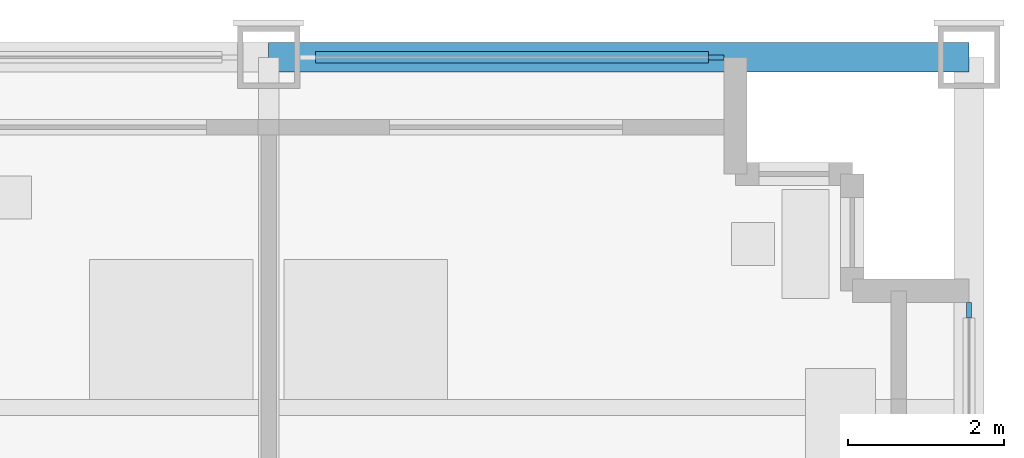
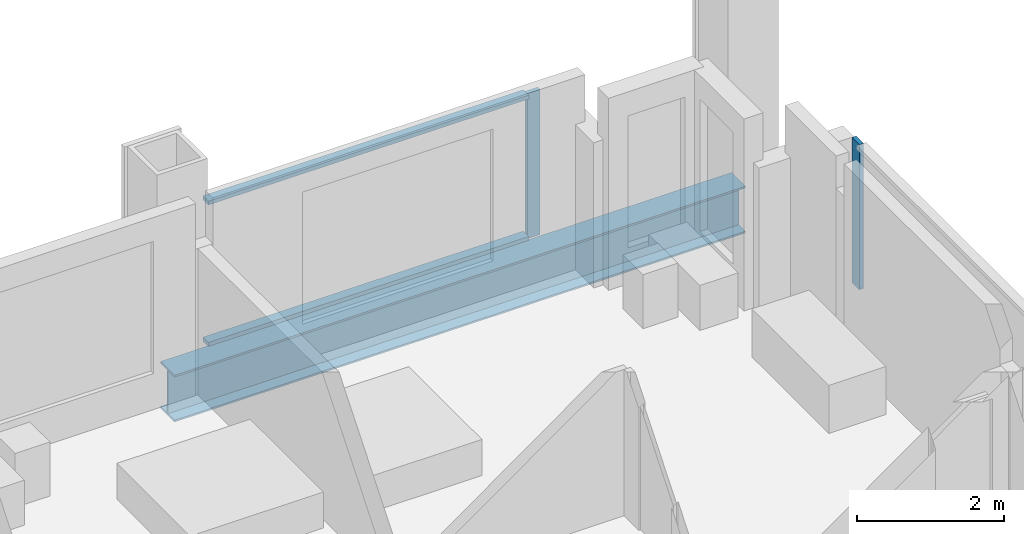
# One storey, part 7 of 16: 4 members, 1 beam, 2 elements without a shape of their own.
"""IFC4 building model written with IfcOpenShell, lengths in metres."""

import ifcopenshell
import ifcopenshell.guid

model = None  # the IFC model being written
_history = None  # IfcOwnerHistory: only IFC2X3 demands one
_inside = {}  # id of a spatial element -> (the spatial element, [elements in it])
_under = {}  # id of a project, library or spatial element -> (it, [spatial elements below it])
_declared = {}  # id of a project -> (the project, [libraries it declares])
_typed = {}  # id of a type object -> (the type object, [elements of that type])
_made_of = {}  # id of a material, layer set ... -> (it, [elements and type objects made of it])


def new_model(schema):
    """Start an empty IFC model of exactly this schema.

    Asked for "IFC4X3", IfcOpenShell would pick the latest addendum, in which some entities
    have other attributes; the version numbers below select the first issue.
    IFC2X3 requires an IfcOwnerHistory on every rooted entity: one is made here for all.
    """
    global model, _history
    if schema == "IFC4X3":
        model = ifcopenshell.file(schema_version=(4, 3, 0, 0))
    else:
        model = ifcopenshell.file(schema=schema)
    _inside.clear()
    _under.clear()
    _declared.clear()
    _typed.clear()
    _made_of.clear()
    _history = None
    if model.schema == "IFC2X3":
        org = make("IfcOrganization", Name="unknown")
        user = make(
            "IfcPersonAndOrganization",
            ThePerson=make("IfcPerson", FamilyName="unknown"),
            TheOrganization=org,
        )
        app = make(
            "IfcApplication",
            ApplicationDeveloper=org,
            Version="unknown",
            ApplicationFullName="unknown",
            ApplicationIdentifier="unknown",
        )
        _history = make(
            "IfcOwnerHistory",
            OwningUser=user,
            OwningApplication=app,
            ChangeAction="ADDED",
            CreationDate=0,
        )
    return model


def make(cls, **values):
    """One entity of the class cls with the attributes given. An attribute that is None is left unset."""
    return model.create_entity(
        cls, **{name: value for name, value in values.items() if value is not None}
    )


def rooted(cls, **values):
    """An entity with a GlobalId (a new one), such as an element, a storey or a relation."""
    return make(cls, GlobalId=ifcopenshell.guid.new(), OwnerHistory=_history, **values)


def si_unit(unit_type, name, prefix=None):
    """IfcSIUnit, for example si_unit("LENGTHUNIT", "METRE", prefix="MILLI")."""
    return make("IfcSIUnit", UnitType=unit_type, Prefix=prefix, Name=name)


def assignment(units):
    """IfcUnitAssignment: the units of a project."""
    return None if units is None else make("IfcUnitAssignment", Units=units)


def point(xyz):
    """IfcCartesianPoint."""
    return None if xyz is None else make("IfcCartesianPoint", Coordinates=xyz)


def direction(xyz):
    """IfcDirection."""
    return None if xyz is None else make("IfcDirection", DirectionRatios=xyz)


def frame(location, z_axis=None, x_axis=None):
    """IfcAxis2Placement3D, a coordinate frame: its origin and axes. An axis left out is left unset."""
    return make(
        "IfcAxis2Placement3D",
        Location=point(location),
        Axis=direction(z_axis),
        RefDirection=direction(x_axis),
    )


def frame_2d(location, x_axis=None):
    """IfcAxis2Placement2D, a coordinate frame in the plane: its origin and x axis."""
    return make(
        "IfcAxis2Placement2D", Location=point(location), RefDirection=direction(x_axis)
    )


def origin():
    """The frame at (0, 0, 0) with its axes left unset."""
    return frame((0.0, 0.0, 0.0))


def origin_2d():
    """The frame at (0, 0) in the plane with its x axis left unset."""
    return frame_2d((0.0, 0.0))


def place(relative_to, where):
    """IfcLocalPlacement: puts the frame where relative to a parent placement (None: the world)."""
    return make(
        "IfcLocalPlacement", PlacementRelTo=relative_to, RelativePlacement=where
    )


def context(
    kind, dimensions, precision=None, world=None, true_north=None, identifier=None
):
    """IfcGeometricRepresentationContext, for example the 3D "Model" context."""
    return make(
        "IfcGeometricRepresentationContext",
        ContextIdentifier=identifier,
        ContextType=kind,
        CoordinateSpaceDimension=dimensions,
        Precision=precision,
        WorldCoordinateSystem=world,
        TrueNorth=true_north,
    )


def subcontext(parent, identifier, kind, view, scale=None):
    """IfcGeometricRepresentationSubContext, for example "Body" below "Model"."""
    return make(
        "IfcGeometricRepresentationSubContext",
        ContextIdentifier=identifier,
        ContextType=kind,
        ParentContext=parent,
        TargetScale=scale,
        TargetView=view,
    )


def project(units=None, contexts=None):
    """IfcProject with its units and contexts."""
    return rooted(
        "IfcProject",
        Name="project",
        RepresentationContexts=contexts,
        UnitsInContext=assignment(units),
    )


def spatial(cls, under=None, at=None, **own):
    """A site, building, storey or space (cls), placed at a placement, below another one or the project."""
    s = rooted(cls, ObjectPlacement=at, **own)
    if under is not None:
        _under.setdefault(under.id(), (under, []))[1].append(s)
    return s


def profile(cls, at=None, kind="AREA", **sizes):
    """A parametric profile (cls). Its sizes go by their IFC names, for example OverallWidth=200.0."""
    return make(cls, ProfileType=kind, Position=at, **sizes)


def rectangle(**sizes):
    """IfcRectangleProfileDef."""
    return profile("IfcRectangleProfileDef", **sizes)


def i_section(**sizes):
    """IfcIShapeProfileDef."""
    return profile("IfcIShapeProfileDef", **sizes)


def extrude(swept, where, along, depth):
    """IfcExtrudedAreaSolid: the profile swept, set in the frame where, extruded along a direction by depth."""
    return make(
        "IfcExtrudedAreaSolid",
        SweptArea=swept,
        Position=where,
        ExtrudedDirection=direction(along),
        Depth=depth,
    )


def shape(context_of_items, identifier, shape_type, items):
    """IfcShapeRepresentation: the items that make up one representation, for example the "Body"."""
    return make(
        "IfcShapeRepresentation",
        ContextOfItems=context_of_items,
        RepresentationIdentifier=identifier,
        RepresentationType=shape_type,
        Items=items,
    )


def material(Name=None, Category=None):
    """IfcMaterial."""
    return make("IfcMaterial", Name=Name, Category=Category)


def material_profile(
    of_material, cross_section, Name=None, Category=None, Priority=None
):
    """IfcMaterialProfile: a cross section and its material."""
    return make(
        "IfcMaterialProfile",
        Name=Name,
        Material=of_material,
        Profile=cross_section,
        Priority=Priority,
        Category=Category,
    )


def profile_set(profiles, Name=None, composite=None):
    """IfcMaterialProfileSet."""
    return make(
        "IfcMaterialProfileSet",
        Name=Name,
        MaterialProfiles=profiles,
        CompositeProfile=composite,
    )


def made_of(thing, what):
    """Note that an element or type object is made of a material, layer set ...; save() writes the relation."""
    if what is not None:
        _made_of.setdefault(what.id(), (what, []))[1].append(thing)
    return thing


def type_object(cls, material=None, **own):
    """A type object (cls), such as IfcWallType, which elements share."""
    return made_of(rooted(cls, **own), material)


def element(
    cls,
    number,
    at=None,
    inside=None,
    cuts=None,
    type_object=None,
    material=None,
    context=None,
    identifier="Body",
    shape_type=None,
    held_by="IfcProductDefinitionShape",
    body=None,
    shapes=None,
    **own,
):
    """One element of the class cls, such as IfcWall. Its Tag is "e" and its number.

    at: its placement. inside: the storey or other place that contains it. cuts: it is an
    opening in that element (IfcRelVoidsElement). A single representation is given by context,
    identifier, shape_type and body (its items); several are given by shapes. held_by: the class
    of the entity that holds the representations. save() writes the other relations.
    """
    e = rooted(cls, Tag="e%d" % number, ObjectPlacement=at, **own)
    if body is not None:
        shapes = [shape(context, identifier, shape_type, body)]
    if shapes is not None:
        e.Representation = make(held_by, Representations=shapes)
    if inside is not None:
        _inside.setdefault(inside.id(), (inside, []))[1].append(e)
    if cuts is not None:
        rooted(
            "IfcRelVoidsElement", RelatingBuildingElement=cuts, RelatedOpeningElement=e
        )
    if type_object is not None:
        _typed.setdefault(type_object.id(), (type_object, []))[1].append(e)
    return made_of(e, material)


def aggregate(whole, parts):
    """IfcRelAggregates: a whole, such as a stair, and the parts it consists of."""
    return rooted("IfcRelAggregates", RelatingObject=whole, RelatedObjects=parts)


def save(model, path):
    """Write the relations noted so far, then the file.

    IfcRelAggregates (storeys below a building ...), IfcRelContainedInSpatialStructure (elements
    in a storey), IfcRelDefinesByType, IfcRelAssociatesMaterial and IfcRelDeclares: one each for
    every whole, place, type object, material and project.
    """
    for whole, parts in _under.values():
        aggregate(whole, parts)
    for where, things in _inside.values():
        rooted(
            "IfcRelContainedInSpatialStructure",
            RelatedElements=things,
            RelatingStructure=where,
        )
    for kind, things in _typed.values():
        rooted("IfcRelDefinesByType", RelatedObjects=things, RelatingType=kind)
    for what, things in _made_of.values():
        rooted("IfcRelAssociatesMaterial", RelatedObjects=things, RelatingMaterial=what)
    for by, libraries in _declared.values():
        rooted("IfcRelDeclares", RelatingContext=by, RelatedDefinitions=libraries)
    model.write(path)


model = new_model("IFC4")

# Units and contexts
model_context = context("Model", 3, precision=1e-05, world=origin(), true_north=direction((0.0, 1.0)))
body_context = subcontext(model_context, "Body", "Model", "MODEL_VIEW")
ifc_project = project(units=[si_unit("LENGTHUNIT", "METRE"), si_unit("AREAUNIT", "SQUARE_METRE"), si_unit("VOLUMEUNIT", "CUBIC_METRE"), si_unit("PLANEANGLEUNIT", "RADIAN"), si_unit("MASSUNIT", "GRAM", prefix="KILO")], contexts=[model_context])

# Site, building, storey
site_placement = place(None, origin())
site = spatial("IfcSite", under=ifc_project, at=site_placement, CompositionType="ELEMENT")
building_placement = place(site_placement, origin())
building = spatial("IfcBuilding", under=site, at=building_placement, Name="Loomwork Tower", CompositionType="ELEMENT")
storey_placement = place(building_placement, frame((0.0, 0.0, 111.199951171875)))
storey = spatial("IfcBuildingStorey", under=building, at=storey_placement, Name="L29", CompositionType="ELEMENT", Elevation=111.199951171875)

# Curtain wall, member
ifc_material_1 = material(Name="Aluminium curtain wall frame", Category="aluminium")
curtain_wall_type = type_object("IfcCurtainWallType", Name="Outer skin glazing hotel", PredefinedType="NOTDEFINED", material=ifc_material_1)
curtain_wall_1_placement = place(storey_placement, origin())
curtain_wall_1 = element("IfcCurtainWall", 1, at=curtain_wall_1_placement, inside=storey, type_object=curtain_wall_type, Name="Outer skin glazing hotel cw/N-36", PredefinedType="NOTDEFINED")
ifc_material_2 = material(Name="Aluminium curtain wall frame", Category="aluminium")
ifc_material_profile_1 = material_profile(ifc_material_2, rectangle(XDim=0.06494140625, YDim=0.199951171875, at=origin_2d()), Name="AL 65x200")
ifc_profile_set_1 = profile_set([ifc_material_profile_1], Name="Aluminium curtain wall frame")
member_type_1 = type_object("IfcMemberType", Name="Outer skin glazing hotel mullion", PredefinedType="MULLION", material=ifc_profile_set_1)
member_1_placement = place(storey_placement, frame((41.75, 36.0, 0.0), z_axis=(0.0, 0.0, 1.0), x_axis=(0.0, -1.0, 0.0)))
member_1 = element("IfcMember", 2, at=member_1_placement, type_object=member_type_1, Name="CW1 mullion 1", PredefinedType="MULLION", context=body_context, shape_type="SweptSolid", body=[
    extrude(rectangle(XDim=0.06494140625, YDim=0.199951171875, at=origin_2d()), origin(), (0.0, 0.0, 1.0), 2.420166015625),
])

curtain_wall_2_placement = place(storey_placement, origin())
curtain_wall_2 = element("IfcCurtainWall", 3, at=curtain_wall_2_placement, inside=storey, type_object=curtain_wall_type, Name="Outer skin glazing hotel cw/E-27", PredefinedType="NOTDEFINED")
member_2_placement = place(storey_placement, frame((45.0, 32.75, 0.0), z_axis=(0.0, 0.0, 1.0), x_axis=(-1.0, 0.0, 0.0)))
member_2 = element("IfcMember", 4, at=member_2_placement, type_object=member_type_1, Name="CW1 mullion 2", PredefinedType="MULLION", context=body_context, shape_type="SweptSolid", body=[
    extrude(rectangle(XDim=0.06494140625, YDim=0.199951171875, at=origin_2d()), origin(), (0.0, 0.0, 1.0), 2.420166015625),
])
aggregate(curtain_wall_2, [member_2])

# Member
ifc_material_3 = material(Name="Aluminium curtain wall frame", Category="aluminium")
ifc_material_profile_2 = material_profile(ifc_material_3, rectangle(XDim=0.14990234375, YDim=0.06494140625, at=origin_2d()), Name="AL 65x150")
ifc_profile_set_2 = profile_set([ifc_material_profile_2], Name="Aluminium curtain wall frame")
member_type_2 = type_object("IfcMemberType", Name="Outer skin glazing hotel transom", PredefinedType="USERDEFINED", material=ifc_profile_set_2)
member_3_placement = place(storey_placement, frame((41.64990234375, 36.0, 0.032470703125), z_axis=(-1.0, 0.0, 0.0), x_axis=(0.0, -1.0, 0.0)))
member_3 = element("IfcMember", 5, at=member_3_placement, type_object=member_type_2, Name="CW1 transom 1.1", ObjectType="TRANSOM", PredefinedType="USERDEFINED", context=body_context, shape_type="SweptSolid", body=[
    extrude(rectangle(XDim=0.14990234375, YDim=0.06494140625, at=origin_2d()), origin(), (0.0, 0.0, 1.0), 5.0498046875),
])

member_4_placement = place(storey_placement, frame((41.64990234375, 36.0, 2.3876953125), z_axis=(-1.0, 0.0, 0.0), x_axis=(0.0, -1.0, 0.0)))
member_4 = element("IfcMember", 6, at=member_4_placement, type_object=member_type_2, Name="CW1 transom 1.2", ObjectType="TRANSOM", PredefinedType="USERDEFINED", context=body_context, shape_type="SweptSolid", body=[
    extrude(rectangle(XDim=0.14990234375, YDim=0.06494140625, at=origin_2d()), origin(), (0.0, 0.0, 1.0), 5.0498046875),
])

aggregate(curtain_wall_1, [member_1, member_3, member_4])

# Beam
ifc_material_4 = material(Name="Steel ASTM A992", Category="steel")
ifc_material_profile_3 = material_profile(ifc_material_4, i_section(OverallWidth=0.381103515625, OverallDepth=0.77978515625, WebThickness=0.01806640625, FlangeThickness=0.0302734375, at=origin_2d()), Name="W30x191")
ifc_profile_set_3 = profile_set([ifc_material_profile_3], Name="Steel ASTM A992")
beam_type = type_object("IfcBeamType", Name="SPANDREL GIRDER W30x191", PredefinedType="SPANDREL", material=ifc_profile_set_3)
beam_placement = place(storey_placement, frame((36.0, 36.0, -0.58984375), z_axis=(1.0, 0.0, 0.0), x_axis=(0.0, 1.0, 0.0)))
element("IfcBeam", 7, at=beam_placement, inside=storey, type_object=beam_type, Name="Spandrel Girder H/6-H/7 L29", PredefinedType="SPANDREL", context=body_context, shape_type="SweptSolid", body=[
    extrude(i_section(OverallWidth=0.381103515625, OverallDepth=0.77978515625, WebThickness=0.01806640625, FlangeThickness=0.0302734375, at=origin_2d()), origin(), (0.0, 0.0, 1.0), 9.0),
])

save(model, "model.ifc")
